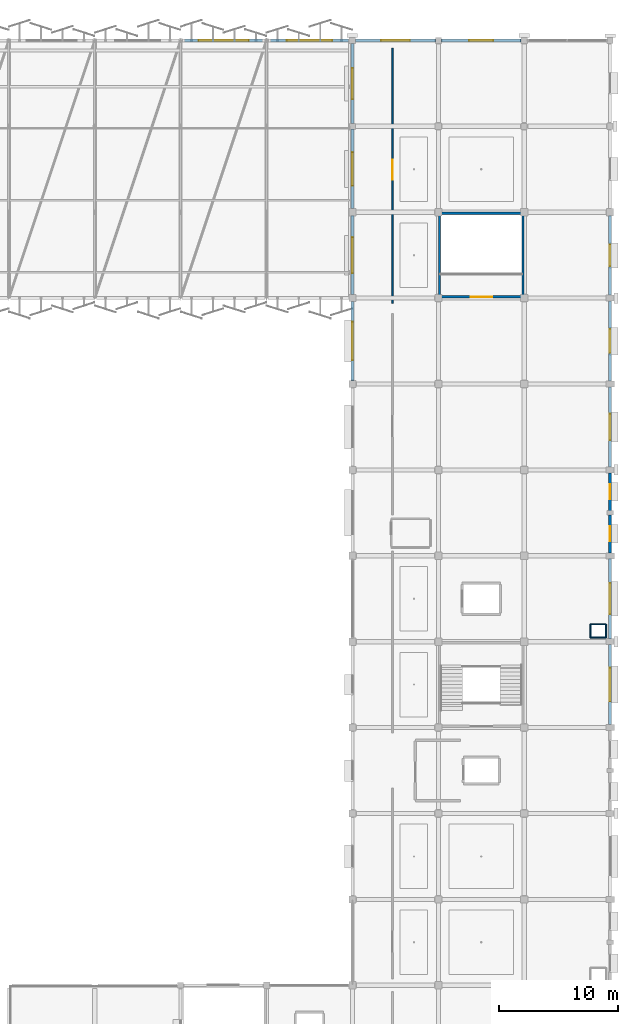
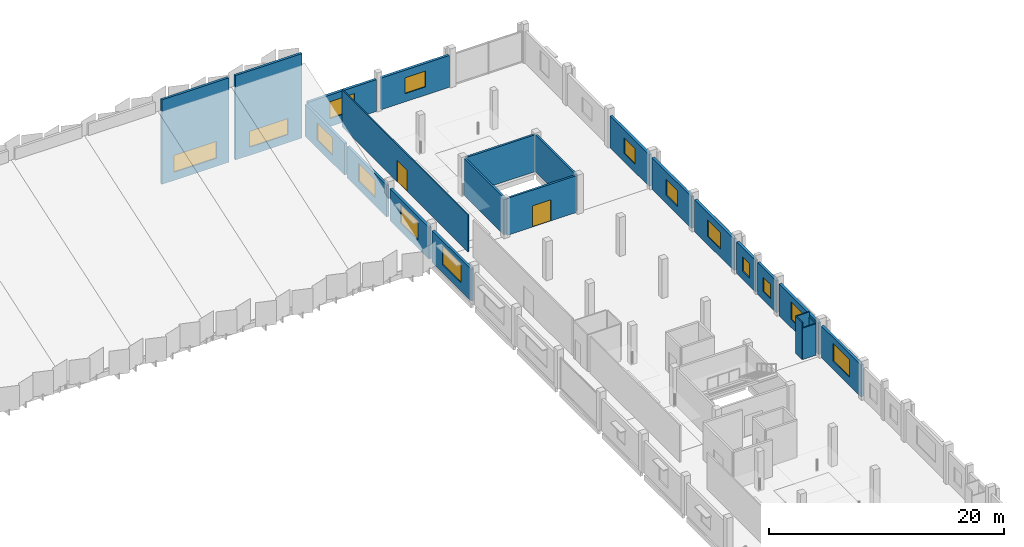
# One storey, part 44 of 59: 24 walls, 15 windows, 2 doors, 17 openings.
"""IFC4 building model written with IfcOpenShell, lengths in metres."""

from ifc_helpers import new_model, si_unit, direction, frame, frame_2d, origin, place, context, subcontext, project, spatial, rectangle, extrude, material, layer, layer_set, type_object, element, fill, save


model = new_model("IFC4")

# Units and contexts
model_context = context("Model", 3, precision=1e-05, world=origin(), true_north=direction((0.0, 1.0)))
body_context = subcontext(model_context, "Body", "Model", "MODEL_VIEW")
ifc_project = project(units=[si_unit("LENGTHUNIT", "METRE"), si_unit("AREAUNIT", "SQUARE_METRE"), si_unit("VOLUMEUNIT", "CUBIC_METRE"), si_unit("PLANEANGLEUNIT", "RADIAN"), si_unit("MASSUNIT", "GRAM", prefix="KILO")], contexts=[model_context])

# Site, building, storey
site_placement = place(None, origin())
site = spatial("IfcSite", under=ifc_project, at=site_placement, CompositionType="ELEMENT")
building_placement = place(site_placement, origin())
building = spatial("IfcBuilding", under=site, at=building_placement, Name="Kangsadwip Square Police Headquarters", CompositionType="ELEMENT")
storey_placement = place(building_placement, frame((0.0, 0.0, 21.60009765625)))
storey = spatial("IfcBuildingStorey", under=building, at=storey_placement, Name="L05", CompositionType="ELEMENT", Elevation=21.60009765625)

# Wall, opening, door
ifc_material_1 = material(Name="Fire-rated double gypsum board acoustic stud partition", Category="masonry")
ifc_layer_1 = layer(ifc_material_1, 0.1201171875)
ifc_layer_set_1 = layer_set([ifc_layer_1], Name="Fire-rated double gypsum board acoustic stud partition")
wall_type_1 = type_object("IfcWallType", Name="AcousticPartition120", PredefinedType="PARTITIONING", material=ifc_layer_set_1)
wall_1_placement = place(storey_placement, frame((147.35009765625, 93.14990234375, 0.0), z_axis=(0.0, 0.0, 1.0), x_axis=(0.0, 1.0, 0.0)))
wall_1 = element("IfcWall", 1, at=wall_1_placement, inside=storey, type_object=wall_type_1, Name="Interior Wall WI-L05-0891", PredefinedType="PARTITIONING", context=body_context, shape_type="SweptSolid", body=[
    extrude(rectangle(XDim=21.400146484375, YDim=0.1201171875, at=frame_2d((10.7001953125, 0.0))), origin(), (0.0, 0.0, 1.0), 3.829833984375),
])
opening_1_placement = place(wall_1_placement, frame((10.35498046875, 0.0, 0.0)))
opening_1 = element("IfcOpeningElement", 2, at=opening_1_placement, cuts=wall_1, Name="Opening ID-17", PredefinedType="OPENING", context=body_context, shape_type="SweptSolid", body=[
    extrude(rectangle(XDim=1.699951171875, YDim=2.199951171875, at=frame_2d((0.85009765625, 1.10009765625))), frame((0.0, 0.070068359375, 0.0), z_axis=(0.0, -1.0, 0.0), x_axis=(1.0, 0.0, 0.0)), (0.0, 0.0, 1.0), 0.14013671875),
])
ifc_material_2 = material(Name="Insulated galvanized steel fire-rated door assembly", Category="steel")
door_type_1 = type_object("IfcDoorType", Name="LabDoubleDoor1700x2200", OperationType="DOUBLE_DOOR_SINGLE_SWING", PredefinedType="DOOR", material=ifc_material_2)
door_1_placement = place(opening_1_placement, origin())
door_1 = element("IfcDoor", 3, at=door_1_placement, inside=storey, type_object=door_type_1, Name="Interior Door ID-L05-0245", OperationType="DOUBLE_DOOR_SINGLE_SWING", OverallHeight=2.199951171875, OverallWidth=1.699951171875, PredefinedType="DOOR", context=body_context, shape_type="SweptSolid", body=[
    extrude(rectangle(XDim=1.699951171875, YDim=2.199951171875, at=frame_2d((0.85009765625, 1.10009765625))), frame((0.0, 0.02490234375, 0.0), z_axis=(0.0, -1.0, 0.0), x_axis=(1.0, 0.0, 0.0)), (0.0, 0.0, 1.0), 0.050048828125),
])
fill(opening_1, door_1)

# Wall, opening, window
ifc_material_3 = material(Name="Glazed architectural terracotta masonry rainscreen", Category="masonry")
ifc_layer_2 = layer(ifc_material_3, 0.25)
ifc_layer_set_2 = layer_set([ifc_layer_2], Name="Glazed architectural terracotta masonry rainscreen")
wall_type_2 = type_object("IfcWallType", Name="ChicagoTerracottaWall250", PredefinedType="SOLIDWALL", material=ifc_layer_set_2)
wall_2_placement = place(storey_placement, frame((144.27001953125, 115.199951171875, 0.0), z_axis=(0.0, 0.0, 1.0), x_axis=(1.0, 0.0, 0.0)))
wall_2 = element("IfcWall", 4, at=wall_2_placement, inside=storey, type_object=wall_type_2, Name="Exterior Wall WE-L05-489", PredefinedType="SOLIDWALL", context=body_context, shape_type="SweptSolid", body=[
    extrude(rectangle(XDim=6.68505859375, YDim=0.25, at=frame_2d((3.342529296875, 0.0))), origin(), (0.0, 0.0, 1.0), 3.294921875),
])
opening_2_placement = place(wall_2_placement, frame((2.142578125, 0.0, 0.85009765625)))
opening_2 = element("IfcOpeningElement", 5, at=opening_2_placement, cuts=wall_2, Name="Opening WN-07", PredefinedType="OPENING", context=body_context, shape_type="SweptSolid", body=[
    extrude(rectangle(XDim=2.39990234375, YDim=1.75, at=frame_2d((1.199951171875, 0.875))), frame((0.0, 0.135009765625, 0.0), z_axis=(0.0, -1.0, 0.0), x_axis=(1.0, 0.0, 0.0)), (0.0, 0.0, 1.0), 0.27001953125),
])
ifc_material_4 = material(Name="Double-glazed solar-control low-E safety glass", Category="glass")
window_type_1 = type_object("IfcWindowType", Name="ChicagoDoubleMullWin2400x1750", PartitioningType="DOUBLE_PANEL_VERTICAL", PredefinedType="WINDOW", material=ifc_material_4)
window_1_placement = place(opening_2_placement, origin())
window_1 = element("IfcWindow", 6, at=window_1_placement, inside=storey, type_object=window_type_1, Name="Window WN-L05-0339", OverallHeight=1.75, OverallWidth=2.39990234375, PartitioningType="SINGLE_PANEL", PredefinedType="WINDOW", context=body_context, shape_type="SweptSolid", body=[
    extrude(rectangle(XDim=2.39990234375, YDim=1.75, at=frame_2d((1.199951171875, 0.875))), frame((0.0, 0.030029296875, 0.0), z_axis=(0.0, -1.0, 0.0), x_axis=(1.0, 0.0, 0.0)), (0.0, 0.0, 1.0), 0.06005859375),
])
fill(opening_2, window_1)

wall_3_placement = place(storey_placement, frame((151.445068359375, 115.199951171875, 0.0), z_axis=(0.0, 0.0, 1.0), x_axis=(1.0, 0.0, 0.0)))
wall_3 = element("IfcWall", 7, at=wall_3_placement, inside=storey, type_object=wall_type_2, Name="Exterior Wall WE-L05-490", PredefinedType="SOLIDWALL", context=body_context, shape_type="SweptSolid", body=[
    extrude(rectangle(XDim=6.684814453125, YDim=0.25, at=frame_2d((3.34228515625, 0.0))), origin(), (0.0, 0.0, 1.0), 3.294921875),
])
opening_3_placement = place(wall_3_placement, frame((2.342529296875, 0.0, 0.85009765625)))
opening_3 = element("IfcOpeningElement", 8, at=opening_3_placement, cuts=wall_3, Name="Opening WN-09", PredefinedType="OPENING", context=body_context, shape_type="SweptSolid", body=[
    extrude(rectangle(XDim=2.0, YDim=1.64990234375, at=frame_2d((1.0, 0.824951171875))), frame((0.0, 0.135009765625, 0.0), z_axis=(0.0, -1.0, 0.0), x_axis=(1.0, 0.0, 0.0)), (0.0, 0.0, 1.0), 0.27001953125),
])
ifc_material_5 = material(Name="Double-glazed solar-control low-E safety glass", Category="glass")
window_type_2 = type_object("IfcWindowType", Name="ChicagoDoubleMullWin2000x1650", PartitioningType="DOUBLE_PANEL_VERTICAL", PredefinedType="WINDOW", material=ifc_material_5)
window_2_placement = place(opening_3_placement, origin())
window_2 = element("IfcWindow", 9, at=window_2_placement, inside=storey, type_object=window_type_2, Name="Window WN-L05-0340", OverallHeight=1.64990234375, OverallWidth=2.0, PartitioningType="SINGLE_PANEL", PredefinedType="WINDOW", context=body_context, shape_type="SweptSolid", body=[
    extrude(rectangle(XDim=2.0, YDim=1.64990234375, at=frame_2d((1.0, 0.824951171875))), frame((0.0, 0.030029296875, 0.0), z_axis=(0.0, -1.0, 0.0), x_axis=(1.0, 0.0, 0.0)), (0.0, 0.0, 1.0), 0.06005859375),
])
fill(opening_3, window_2)

wall_4_placement = place(storey_placement, frame((144.0, 86.695068359375, 0.0), z_axis=(0.0, 0.0, 1.0), x_axis=(0.0, 1.0, 0.0)))
wall_4 = element("IfcWall", 10, at=wall_4_placement, inside=storey, type_object=wall_type_2, Name="Exterior Wall WE-L05-514", PredefinedType="SOLIDWALL", context=body_context, shape_type="SweptSolid", body=[
    extrude(rectangle(XDim=6.60986328125, YDim=0.25, at=frame_2d((3.304931640625, 0.0))), origin(), (0.0, 0.0, 1.0), 3.294921875),
])
opening_4_placement = place(wall_4_placement, frame((1.705078125, 0.0, 0.85009765625)))
opening_4 = element("IfcOpeningElement", 11, at=opening_4_placement, cuts=wall_4, Name="Opening WN-03", PredefinedType="OPENING", context=body_context, shape_type="SweptSolid", body=[
    extrude(rectangle(XDim=3.199951171875, YDim=1.949951171875, at=frame_2d((1.60009765625, 0.97509765625))), frame((0.0, 0.135009765625, 0.0), z_axis=(0.0, -1.0, 0.0), x_axis=(1.0, 0.0, 0.0)), (0.0, 0.0, 1.0), 0.27001953125),
])
ifc_material_6 = material(Name="Double-glazed solar-control low-E safety glass", Category="glass")
window_type_3 = type_object("IfcWindowType", Name="ChicagoTripartiteWin3200x1950", PartitioningType="TRIPLE_PANEL_HORIZONTAL", PredefinedType="WINDOW", material=ifc_material_6)
window_3_placement = place(opening_4_placement, origin())
window_3 = element("IfcWindow", 12, at=window_3_placement, inside=storey, type_object=window_type_3, Name="Window WN-L05-0363", OverallHeight=1.949951171875, OverallWidth=3.199951171875, PartitioningType="SINGLE_PANEL", PredefinedType="WINDOW", context=body_context, shape_type="SweptSolid", body=[
    extrude(rectangle(XDim=3.199951171875, YDim=1.949951171875, at=frame_2d((1.60009765625, 0.97509765625))), frame((0.0, 0.030029296875, 0.0), z_axis=(0.0, -1.0, 0.0), x_axis=(1.0, 0.0, 0.0)), (0.0, 0.0, 1.0), 0.06005859375),
])
fill(opening_4, window_3)

wall_5_placement = place(storey_placement, frame((144.0, 93.89501953125, 0.0), z_axis=(0.0, 0.0, 1.0), x_axis=(0.0, 1.0, 0.0)))
wall_5 = element("IfcWall", 13, at=wall_5_placement, inside=storey, type_object=wall_type_2, Name="Exterior Wall WE-L05-515", PredefinedType="SOLIDWALL", context=body_context, shape_type="SweptSolid", body=[
    extrude(rectangle(XDim=6.60986328125, YDim=0.25, at=frame_2d((3.304931640625, 0.0))), origin(), (0.0, 0.0, 1.0), 3.294921875),
])
opening_5_placement = place(wall_5_placement, frame((1.804931640625, 0.0, 0.85009765625)))
opening_5 = element("IfcOpeningElement", 14, at=opening_5_placement, cuts=wall_5, Name="Opening WN-04", PredefinedType="OPENING", context=body_context, shape_type="SweptSolid", body=[
    extrude(rectangle(XDim=3.0, YDim=1.89990234375, at=frame_2d((1.5, 0.949951171875))), frame((0.0, 0.135009765625, 0.0), z_axis=(0.0, -1.0, 0.0), x_axis=(1.0, 0.0, 0.0)), (0.0, 0.0, 1.0), 0.27001953125),
])
ifc_material_7 = material(Name="Double-glazed solar-control low-E safety glass", Category="glass")
window_type_4 = type_object("IfcWindowType", Name="ChicagoTripartiteWin3000x1900", PartitioningType="TRIPLE_PANEL_HORIZONTAL", PredefinedType="WINDOW", material=ifc_material_7)
window_4_placement = place(opening_5_placement, origin())
window_4 = element("IfcWindow", 15, at=window_4_placement, inside=storey, type_object=window_type_4, Name="Window WN-L05-0364", OverallHeight=1.89990234375, OverallWidth=3.0, PartitioningType="SINGLE_PANEL", PredefinedType="WINDOW", context=body_context, shape_type="SweptSolid", body=[
    extrude(rectangle(XDim=3.0, YDim=1.89990234375, at=frame_2d((1.5, 0.949951171875))), frame((0.0, 0.030029296875, 0.0), z_axis=(0.0, -1.0, 0.0), x_axis=(1.0, 0.0, 0.0)), (0.0, 0.0, 1.0), 0.06005859375),
])
fill(opening_5, window_4)

wall_6_placement = place(storey_placement, frame((144.0, 101.094970703125, 0.0), z_axis=(0.0, 0.0, 1.0), x_axis=(0.0, 1.0, 0.0)))
wall_6 = element("IfcWall", 16, at=wall_6_placement, inside=storey, type_object=wall_type_2, Name="Exterior Wall WE-L05-516", PredefinedType="SOLIDWALL", context=body_context, shape_type="SweptSolid", body=[
    extrude(rectangle(XDim=6.659912109375, YDim=0.25, at=frame_2d((3.330078125, 0.0))), origin(), (0.0, 0.0, 1.0), 3.294921875),
])
opening_6_placement = place(wall_6_placement, frame((1.929931640625, 0.0, 0.85009765625)))
opening_6 = element("IfcOpeningElement", 17, at=opening_6_placement, cuts=wall_6, Name="Opening WN-05", PredefinedType="OPENING", context=body_context, shape_type="SweptSolid", body=[
    extrude(rectangle(XDim=2.800048828125, YDim=1.85009765625, at=frame_2d((1.39990234375, 0.925048828125))), frame((0.0, 0.135009765625, 0.0), z_axis=(0.0, -1.0, 0.0), x_axis=(1.0, 0.0, 0.0)), (0.0, 0.0, 1.0), 0.27001953125),
])
ifc_material_8 = material(Name="Double-glazed solar-control low-E safety glass", Category="glass")
window_type_5 = type_object("IfcWindowType", Name="ChicagoDoubleMullWin2800x1850", PartitioningType="DOUBLE_PANEL_VERTICAL", PredefinedType="WINDOW", material=ifc_material_8)
window_5_placement = place(opening_6_placement, origin())
window_5 = element("IfcWindow", 18, at=window_5_placement, inside=storey, type_object=window_type_5, Name="Window WN-L05-0365", OverallHeight=1.85009765625, OverallWidth=2.800048828125, PartitioningType="SINGLE_PANEL", PredefinedType="WINDOW", context=body_context, shape_type="SweptSolid", body=[
    extrude(rectangle(XDim=2.800048828125, YDim=1.85009765625, at=frame_2d((1.39990234375, 0.925048828125))), frame((0.0, 0.030029296875, 0.0), z_axis=(0.0, -1.0, 0.0), x_axis=(1.0, 0.0, 0.0)), (0.0, 0.0, 1.0), 0.06005859375),
])
fill(opening_6, window_5)

wall_7_placement = place(storey_placement, frame((144.0, 108.2451171875, 0.0), z_axis=(0.0, 0.0, 1.0), x_axis=(0.0, 1.0, 0.0)))
wall_7 = element("IfcWall", 19, at=wall_7_placement, inside=storey, type_object=wall_type_2, Name="Exterior Wall WE-L05-517", PredefinedType="SOLIDWALL", context=body_context, shape_type="SweptSolid", body=[
    extrude(rectangle(XDim=6.684814453125, YDim=0.25, at=frame_2d((3.34228515625, 0.0))), origin(), (0.0, 0.0, 1.0), 3.294921875),
])
opening_7_placement = place(wall_7_placement, frame((2.04248046875, 0.0, 0.85009765625)))
opening_7 = element("IfcOpeningElement", 20, at=opening_7_placement, cuts=wall_7, Name="Opening WN-06", PredefinedType="OPENING", context=body_context, shape_type="SweptSolid", body=[
    extrude(rectangle(XDim=2.60009765625, YDim=1.800048828125, at=frame_2d((1.300048828125, 0.89990234375))), frame((0.0, 0.135009765625, 0.0), z_axis=(0.0, -1.0, 0.0), x_axis=(1.0, 0.0, 0.0)), (0.0, 0.0, 1.0), 0.27001953125),
])
ifc_material_9 = material(Name="Double-glazed solar-control low-E safety glass", Category="glass")
window_type_6 = type_object("IfcWindowType", Name="ChicagoDoubleMullWin2600x1800", PartitioningType="DOUBLE_PANEL_VERTICAL", PredefinedType="WINDOW", material=ifc_material_9)
window_6_placement = place(opening_7_placement, origin())
window_6 = element("IfcWindow", 21, at=window_6_placement, inside=storey, type_object=window_type_6, Name="Window WN-L05-0366", OverallHeight=1.800048828125, OverallWidth=2.60009765625, PartitioningType="SINGLE_PANEL", PredefinedType="WINDOW", context=body_context, shape_type="SweptSolid", body=[
    extrude(rectangle(XDim=2.60009765625, YDim=1.800048828125, at=frame_2d((1.300048828125, 0.89990234375))), frame((0.0, 0.030029296875, 0.0), z_axis=(0.0, -1.0, 0.0), x_axis=(1.0, 0.0, 0.0)), (0.0, 0.0, 1.0), 0.06005859375),
])
fill(opening_7, window_6)

wall_8_placement = place(storey_placement, frame((165.60009765625, 57.844970703125, 0.0), z_axis=(0.0, 0.0, 1.0), x_axis=(0.0, 1.0, 0.0)))
wall_8 = element("IfcWall", 22, at=wall_8_placement, inside=storey, type_object=wall_type_2, Name="Exterior Wall WE-L05-525", PredefinedType="SOLIDWALL", context=body_context, shape_type="SweptSolid", body=[
    extrude(rectangle(XDim=6.7099609375, YDim=0.25, at=frame_2d((3.35498046875, 0.0))), origin(), (0.0, 0.0, 1.0), 3.294921875),
])
opening_8_placement = place(wall_8_placement, frame((1.955078125, 0.0, 0.85009765625)))
opening_8 = element("IfcOpeningElement", 23, at=opening_8_placement, cuts=wall_8, Name="Opening WN-05", PredefinedType="OPENING", context=body_context, shape_type="SweptSolid", body=[
    extrude(rectangle(XDim=2.800048828125, YDim=1.85009765625, at=frame_2d((1.39990234375, 0.925048828125))), frame((0.0, 0.135009765625, 0.0), z_axis=(0.0, -1.0, 0.0), x_axis=(1.0, 0.0, 0.0)), (0.0, 0.0, 1.0), 0.27001953125),
])
window_7_placement = place(opening_8_placement, origin())
window_7 = element("IfcWindow", 24, at=window_7_placement, inside=storey, type_object=window_type_5, Name="Window WN-L05-0374", OverallHeight=1.85009765625, OverallWidth=2.800048828125, PartitioningType="SINGLE_PANEL", PredefinedType="WINDOW", context=body_context, shape_type="SweptSolid", body=[
    extrude(rectangle(XDim=2.800048828125, YDim=1.85009765625, at=frame_2d((1.39990234375, 0.925048828125))), frame((0.0, 0.030029296875, 0.0), z_axis=(0.0, -1.0, 0.0), x_axis=(1.0, 0.0, 0.0)), (0.0, 0.0, 1.0), 0.06005859375),
])
fill(opening_8, window_7)

wall_9_placement = place(storey_placement, frame((165.60009765625, 65.044921875, 0.0), z_axis=(0.0, 0.0, 1.0), x_axis=(0.0, 1.0, 0.0)))
wall_9 = element("IfcWall", 25, at=wall_9_placement, inside=storey, type_object=wall_type_2, Name="Exterior Wall WE-L05-526", PredefinedType="SOLIDWALL", context=body_context, shape_type="SweptSolid", body=[
    extrude(rectangle(XDim=6.7099609375, YDim=0.25, at=frame_2d((3.35498046875, 0.0))), origin(), (0.0, 0.0, 1.0), 3.294921875),
])
opening_9_placement = place(wall_9_placement, frame((2.054931640625, 0.0, 0.85009765625)))
opening_9 = element("IfcOpeningElement", 26, at=opening_9_placement, cuts=wall_9, Name="Opening WN-06", PredefinedType="OPENING", context=body_context, shape_type="SweptSolid", body=[
    extrude(rectangle(XDim=2.60009765625, YDim=1.800048828125, at=frame_2d((1.300048828125, 0.89990234375))), frame((0.0, 0.135009765625, 0.0), z_axis=(0.0, -1.0, 0.0), x_axis=(1.0, 0.0, 0.0)), (0.0, 0.0, 1.0), 0.27001953125),
])
window_8_placement = place(opening_9_placement, origin())
window_8 = element("IfcWindow", 27, at=window_8_placement, inside=storey, type_object=window_type_6, Name="Window WN-L05-0375", OverallHeight=1.800048828125, OverallWidth=2.60009765625, PartitioningType="SINGLE_PANEL", PredefinedType="WINDOW", context=body_context, shape_type="SweptSolid", body=[
    extrude(rectangle(XDim=2.60009765625, YDim=1.800048828125, at=frame_2d((1.300048828125, 0.89990234375))), frame((0.0, 0.030029296875, 0.0), z_axis=(0.0, -1.0, 0.0), x_axis=(1.0, 0.0, 0.0)), (0.0, 0.0, 1.0), 0.06005859375),
])
fill(opening_9, window_8)

wall_10_placement = place(storey_placement, frame((165.60009765625, 72.2451171875, 0.0), z_axis=(0.0, 0.0, 1.0), x_axis=(0.0, 1.0, 0.0)))
wall_10 = element("IfcWall", 28, at=wall_10_placement, inside=storey, type_object=wall_type_2, Name="Exterior Wall WE-L05-527", PredefinedType="SOLIDWALL", context=body_context, shape_type="SweptSolid", body=[
    extrude(rectangle(XDim=3.184814453125, YDim=0.25, at=frame_2d((1.59228515625, 0.0))), origin(), (0.0, 0.0, 1.0), 3.294921875),
])
opening_10_placement = place(wall_10_placement, frame((0.967529296875, 0.0, 0.85009765625)))
opening_10 = element("IfcOpeningElement", 29, at=opening_10_placement, cuts=wall_10, Name="Opening WN-14", PredefinedType="OPENING", context=body_context, shape_type="SweptSolid", body=[
    extrude(rectangle(XDim=1.25, YDim=1.5, at=frame_2d((0.625, 0.75))), frame((0.0, 0.135009765625, 0.0), z_axis=(0.0, -1.0, 0.0), x_axis=(1.0, 0.0, 0.0)), (0.0, 0.0, 1.0), 0.27001953125),
])
ifc_material_10 = material(Name="Double-glazed solar-control low-E safety glass", Category="glass")
window_type_7 = type_object("IfcWindowType", Name="OfficeCasementWin1250x1500", PartitioningType="SINGLE_PANEL", PredefinedType="WINDOW", material=ifc_material_10)
window_9_placement = place(opening_10_placement, origin())
window_9 = element("IfcWindow", 30, at=window_9_placement, inside=storey, type_object=window_type_7, Name="Window WN-L05-0376", OverallHeight=1.5, OverallWidth=1.25, PartitioningType="SINGLE_PANEL", PredefinedType="WINDOW", context=body_context, shape_type="SweptSolid", body=[
    extrude(rectangle(XDim=1.25, YDim=1.5, at=frame_2d((0.625, 0.75))), frame((0.0, 0.030029296875, 0.0), z_axis=(0.0, -1.0, 0.0), x_axis=(1.0, 0.0, 0.0)), (0.0, 0.0, 1.0), 0.06005859375),
])
fill(opening_10, window_9)

wall_11_placement = place(storey_placement, frame((165.60009765625, 75.77001953125, 0.0), z_axis=(0.0, 0.0, 1.0), x_axis=(0.0, 1.0, 0.0)))
wall_11 = element("IfcWall", 31, at=wall_11_placement, inside=storey, type_object=wall_type_2, Name="Exterior Wall WE-L05-528", PredefinedType="SOLIDWALL", context=body_context, shape_type="SweptSolid", body=[
    extrude(rectangle(XDim=3.18505859375, YDim=0.25, at=frame_2d((1.592529296875, 0.0))), origin(), (0.0, 0.0, 1.0), 3.294921875),
])
opening_11_placement = place(wall_11_placement, frame((0.967529296875, 0.0, 0.85009765625)))
opening_11 = element("IfcOpeningElement", 32, at=opening_11_placement, cuts=wall_11, Name="Opening WN-14", PredefinedType="OPENING", context=body_context, shape_type="SweptSolid", body=[
    extrude(rectangle(XDim=1.25, YDim=1.5, at=frame_2d((0.625, 0.75))), frame((0.0, 0.135009765625, 0.0), z_axis=(0.0, -1.0, 0.0), x_axis=(1.0, 0.0, 0.0)), (0.0, 0.0, 1.0), 0.27001953125),
])
window_10_placement = place(opening_11_placement, origin())
window_10 = element("IfcWindow", 33, at=window_10_placement, inside=storey, type_object=window_type_7, Name="Window WN-L05-0377", OverallHeight=1.5, OverallWidth=1.25, PartitioningType="SINGLE_PANEL", PredefinedType="WINDOW", context=body_context, shape_type="SweptSolid", body=[
    extrude(rectangle(XDim=1.25, YDim=1.5, at=frame_2d((0.625, 0.75))), frame((0.0, 0.030029296875, 0.0), z_axis=(0.0, -1.0, 0.0), x_axis=(1.0, 0.0, 0.0)), (0.0, 0.0, 1.0), 0.06005859375),
])
fill(opening_11, window_10)

wall_12_placement = place(storey_placement, frame((165.60009765625, 79.445068359375, 0.0), z_axis=(0.0, 0.0, 1.0), x_axis=(0.0, 1.0, 0.0)))
wall_12 = element("IfcWall", 34, at=wall_12_placement, inside=storey, type_object=wall_type_2, Name="Exterior Wall WE-L05-529", PredefinedType="SOLIDWALL", context=body_context, shape_type="SweptSolid", body=[
    extrude(rectangle(XDim=6.7099609375, YDim=0.25, at=frame_2d((3.35498046875, 0.0))), origin(), (0.0, 0.0, 1.0), 3.294921875),
])
opening_12_placement = place(wall_12_placement, frame((2.2548828125, 0.0, 0.85009765625)))
opening_12 = element("IfcOpeningElement", 35, at=opening_12_placement, cuts=wall_12, Name="Opening WN-08", PredefinedType="OPENING", context=body_context, shape_type="SweptSolid", body=[
    extrude(rectangle(XDim=2.199951171875, YDim=1.699951171875, at=frame_2d((1.10009765625, 0.85009765625))), frame((0.0, 0.135009765625, 0.0), z_axis=(0.0, -1.0, 0.0), x_axis=(1.0, 0.0, 0.0)), (0.0, 0.0, 1.0), 0.27001953125),
])
ifc_material_11 = material(Name="Double-glazed solar-control low-E safety glass", Category="glass")
window_type_8 = type_object("IfcWindowType", Name="ChicagoDoubleMullWin2200x1700", PartitioningType="DOUBLE_PANEL_VERTICAL", PredefinedType="WINDOW", material=ifc_material_11)
window_11_placement = place(opening_12_placement, origin())
window_11 = element("IfcWindow", 36, at=window_11_placement, inside=storey, type_object=window_type_8, Name="Window WN-L05-0378", OverallHeight=1.699951171875, OverallWidth=2.199951171875, PartitioningType="SINGLE_PANEL", PredefinedType="WINDOW", context=body_context, shape_type="SweptSolid", body=[
    extrude(rectangle(XDim=2.199951171875, YDim=1.699951171875, at=frame_2d((1.10009765625, 0.85009765625))), frame((0.0, 0.030029296875, 0.0), z_axis=(0.0, -1.0, 0.0), x_axis=(1.0, 0.0, 0.0)), (0.0, 0.0, 1.0), 0.06005859375),
])
fill(opening_12, window_11)

wall_13_placement = place(storey_placement, frame((165.60009765625, 86.64501953125, 0.0), z_axis=(0.0, 0.0, 1.0), x_axis=(0.0, 1.0, 0.0)))
wall_13 = element("IfcWall", 37, at=wall_13_placement, inside=storey, type_object=wall_type_2, Name="Exterior Wall WE-L05-530", PredefinedType="SOLIDWALL", context=body_context, shape_type="SweptSolid", body=[
    extrude(rectangle(XDim=6.7099609375, YDim=0.25, at=frame_2d((3.35498046875, 0.0))), origin(), (0.0, 0.0, 1.0), 3.294921875),
])
opening_13_placement = place(wall_13_placement, frame((2.35498046875, 0.0, 0.85009765625)))
opening_13 = element("IfcOpeningElement", 38, at=opening_13_placement, cuts=wall_13, Name="Opening WN-09", PredefinedType="OPENING", context=body_context, shape_type="SweptSolid", body=[
    extrude(rectangle(XDim=2.0, YDim=1.64990234375, at=frame_2d((1.0, 0.824951171875))), frame((0.0, 0.135009765625, 0.0), z_axis=(0.0, -1.0, 0.0), x_axis=(1.0, 0.0, 0.0)), (0.0, 0.0, 1.0), 0.27001953125),
])
window_12_placement = place(opening_13_placement, origin())
window_12 = element("IfcWindow", 39, at=window_12_placement, inside=storey, type_object=window_type_2, Name="Window WN-L05-0379", OverallHeight=1.64990234375, OverallWidth=2.0, PartitioningType="SINGLE_PANEL", PredefinedType="WINDOW", context=body_context, shape_type="SweptSolid", body=[
    extrude(rectangle(XDim=2.0, YDim=1.64990234375, at=frame_2d((1.0, 0.824951171875))), frame((0.0, 0.030029296875, 0.0), z_axis=(0.0, -1.0, 0.0), x_axis=(1.0, 0.0, 0.0)), (0.0, 0.0, 1.0), 0.06005859375),
])
fill(opening_13, window_12)

wall_14_placement = place(storey_placement, frame((165.60009765625, 93.844970703125, 0.0), z_axis=(0.0, 0.0, 1.0), x_axis=(0.0, 1.0, 0.0)))
wall_14 = element("IfcWall", 40, at=wall_14_placement, inside=storey, type_object=wall_type_2, Name="Exterior Wall WE-L05-531", PredefinedType="SOLIDWALL", context=body_context, shape_type="SweptSolid", body=[
    extrude(rectangle(XDim=6.659912109375, YDim=0.25, at=frame_2d((3.330078125, 0.0))), origin(), (0.0, 0.0, 1.0), 3.294921875),
])
opening_14_placement = place(wall_14_placement, frame((2.429931640625, 0.0, 0.85009765625)))
opening_14 = element("IfcOpeningElement", 41, at=opening_14_placement, cuts=wall_14, Name="Opening WN-10", PredefinedType="OPENING", context=body_context, shape_type="SweptSolid", body=[
    extrude(rectangle(XDim=1.800048828125, YDim=1.60009765625, at=frame_2d((0.89990234375, 0.800048828125))), frame((0.0, 0.135009765625, 0.0), z_axis=(0.0, -1.0, 0.0), x_axis=(1.0, 0.0, 0.0)), (0.0, 0.0, 1.0), 0.27001953125),
])
ifc_material_12 = material(Name="Double-glazed solar-control low-E safety glass", Category="glass")
window_type_9 = type_object("IfcWindowType", Name="LabCleanViewWin1800x1600", PartitioningType="DOUBLE_PANEL_VERTICAL", PredefinedType="WINDOW", material=ifc_material_12)
window_13_placement = place(opening_14_placement, origin())
window_13 = element("IfcWindow", 42, at=window_13_placement, inside=storey, type_object=window_type_9, Name="Window WN-L05-0380", OverallHeight=1.60009765625, OverallWidth=1.800048828125, PartitioningType="SINGLE_PANEL", PredefinedType="WINDOW", context=body_context, shape_type="SweptSolid", body=[
    extrude(rectangle(XDim=1.800048828125, YDim=1.60009765625, at=frame_2d((0.89990234375, 0.800048828125))), frame((0.0, 0.030029296875, 0.0), z_axis=(0.0, -1.0, 0.0), x_axis=(1.0, 0.0, 0.0)), (0.0, 0.0, 1.0), 0.06005859375),
])
fill(opening_14, window_13)

ifc_material_13 = material(Name="Autoclaved aerated blockwork with terracotta brick veneer", Category="masonry")
ifc_layer_3 = layer(ifc_material_13, 0.22998046875)
ifc_layer_set_3 = layer_set([ifc_layer_3], Name="Autoclaved aerated blockwork with terracotta brick veneer")
wall_type_3 = type_object("IfcWallType", Name="ClerestoryGableWall230", PredefinedType="SOLIDWALL", material=ifc_layer_set_3)
wall_15_placement = place(storey_placement, frame((129.919921875, 115.199951171875, -0.22021484375), z_axis=(0.0, 0.0, 1.0), x_axis=(1.0, 0.0, 0.0)))
wall_15 = element("IfcWall", 43, at=wall_15_placement, inside=storey, type_object=wall_type_3, Name="Exterior Wall WE-L05-619", PredefinedType="SOLIDWALL", context=body_context, shape_type="SweptSolid", body=[
    extrude(rectangle(XDim=6.56005859375, YDim=0.22998046875, at=frame_2d((3.280029296875, 0.0))), origin(), (0.0, 0.0, 1.0), 8.77001953125),
])
opening_15_placement = place(wall_15_placement, frame((1.179931640625, 0.0, 0.85009765625)))
opening_15 = element("IfcOpeningElement", 44, at=opening_15_placement, cuts=wall_15, Name="Opening NL-01", PredefinedType="OPENING", context=body_context, shape_type="SweptSolid", body=[
    extrude(rectangle(XDim=4.199951171875, YDim=1.75, at=frame_2d((2.10009765625, 0.875))), frame((0.0, 0.125, 0.0), z_axis=(0.0, -1.0, 0.0), x_axis=(1.0, 0.0, 0.0)), (0.0, 0.0, 1.0), 0.25),
])
ifc_material_14 = material(Name="Double-glazed solar-control low-E safety glass", Category="glass")
window_type_10 = type_object("IfcWindowType", Name="SawtoothNorthLight4200x1750", PartitioningType="TRIPLE_PANEL_HORIZONTAL", PredefinedType="LIGHTDOME", material=ifc_material_14)
window_14_placement = place(opening_15_placement, origin())
window_14 = element("IfcWindow", 45, at=window_14_placement, inside=storey, type_object=window_type_10, Name="Window WN-L05-0465", OverallHeight=1.75, OverallWidth=4.199951171875, PartitioningType="SINGLE_PANEL", PredefinedType="LIGHTDOME", context=body_context, shape_type="SweptSolid", body=[
    extrude(rectangle(XDim=4.199951171875, YDim=1.75, at=frame_2d((2.10009765625, 0.875))), frame((0.0, 0.030029296875, 0.0), z_axis=(0.0, -1.0, 0.0), x_axis=(1.0, 0.0, 0.0)), (0.0, 0.0, 1.0), 0.06005859375),
])
fill(opening_15, window_14)

wall_16_placement = place(storey_placement, frame((137.1201171875, 115.199951171875, -0.22021484375), z_axis=(0.0, 0.0, 1.0), x_axis=(1.0, 0.0, 0.0)))
wall_16 = element("IfcWall", 46, at=wall_16_placement, inside=storey, type_object=wall_type_3, Name="Exterior Wall WE-L05-620", PredefinedType="SOLIDWALL", context=body_context, shape_type="SweptSolid", body=[
    extrude(rectangle(XDim=6.559814453125, YDim=0.22998046875, at=frame_2d((3.27978515625, 0.0))), origin(), (0.0, 0.0, 1.0), 8.77001953125),
])
opening_16_placement = place(wall_16_placement, frame((1.3798828125, 0.0, 0.85009765625)))
opening_16 = element("IfcOpeningElement", 47, at=opening_16_placement, cuts=wall_16, Name="Opening NL-02", PredefinedType="OPENING", context=body_context, shape_type="SweptSolid", body=[
    extrude(rectangle(XDim=3.800048828125, YDim=1.64990234375, at=frame_2d((1.89990234375, 0.824951171875))), frame((0.0, 0.125, 0.0), z_axis=(0.0, -1.0, 0.0), x_axis=(1.0, 0.0, 0.0)), (0.0, 0.0, 1.0), 0.25),
])
ifc_material_15 = material(Name="Double-glazed solar-control low-E safety glass", Category="glass")
window_type_11 = type_object("IfcWindowType", Name="SawtoothNorthLight3800x1650", PartitioningType="TRIPLE_PANEL_HORIZONTAL", PredefinedType="LIGHTDOME", material=ifc_material_15)
window_15_placement = place(opening_16_placement, origin())
window_15 = element("IfcWindow", 48, at=window_15_placement, inside=storey, type_object=window_type_11, Name="Window WN-L05-0466", OverallHeight=1.64990234375, OverallWidth=3.800048828125, PartitioningType="SINGLE_PANEL", PredefinedType="LIGHTDOME", context=body_context, shape_type="SweptSolid", body=[
    extrude(rectangle(XDim=3.800048828125, YDim=1.64990234375, at=frame_2d((1.89990234375, 0.824951171875))), frame((0.0, 0.030029296875, 0.0), z_axis=(0.0, -1.0, 0.0), x_axis=(1.0, 0.0, 0.0)), (0.0, 0.0, 1.0), 0.06005859375),
])
fill(opening_16, window_15)

# Wall, opening, door
ifc_material_16 = material(Name="Concrete M40 (40 MPa)", Category="concrete")
ifc_layer_4 = layer(ifc_material_16, 0.199951171875)
ifc_layer_set_4 = layer_set([ifc_layer_4], Name="Concrete M40 (40 MPa)")
wall_type_4 = type_object("IfcWallType", Name="CoreShearWall200", PredefinedType="SHEAR", material=ifc_layer_set_4)
wall_17_placement = place(storey_placement, frame((151.39990234375, 93.699951171875, 0.0), z_axis=(0.0, 0.0, 1.0), x_axis=(1.0, 0.0, 0.0)))
wall_17 = element("IfcWall", 49, at=wall_17_placement, inside=storey, type_object=wall_type_4, Name="Interior Wall WI-L05-0149", PredefinedType="SHEAR", context=body_context, shape_type="SweptSolid", body=[
    extrude(rectangle(XDim=6.800048828125, YDim=0.199951171875, at=frame_2d((3.39990234375, 0.0))), origin(), (0.0, 0.0, 1.0), 3.829833984375),
])
opening_17_placement = place(wall_17_placement, frame((2.5, 0.0, 0.0)))
opening_17 = element("IfcOpeningElement", 50, at=opening_17_placement, cuts=wall_17, Name="Opening FD-18", PredefinedType="OPENING", context=body_context, shape_type="SweptSolid", body=[
    extrude(rectangle(XDim=1.800048828125, YDim=2.199951171875, at=frame_2d((0.89990234375, 1.10009765625))), frame((0.0, 0.10986328125, 0.0), z_axis=(0.0, -1.0, 0.0), x_axis=(1.0, 0.0, 0.0)), (0.0, 0.0, 1.0), 0.219970703125),
])
ifc_material_17 = material(Name="Insulated galvanized steel fire-rated door assembly", Category="steel")
door_type_2 = type_object("IfcDoorType", Name="StairFireDoor1800x2200", OperationType="DOUBLE_DOOR_SINGLE_SWING", PredefinedType="DOOR", material=ifc_material_17)
door_2_placement = place(opening_17_placement, origin())
door_2 = element("IfcDoor", 51, at=door_2_placement, inside=storey, type_object=door_type_2, Name="Interior Door ID-L05-0034", OperationType="DOUBLE_DOOR_SINGLE_SWING", OverallHeight=2.199951171875, OverallWidth=1.800048828125, PredefinedType="DOOR", context=body_context, shape_type="SweptSolid", body=[
    extrude(rectangle(XDim=1.800048828125, YDim=2.199951171875, at=frame_2d((0.89990234375, 1.10009765625))), frame((0.0, 0.02490234375, 0.0), z_axis=(0.0, -1.0, 0.0), x_axis=(1.0, 0.0, 0.0)), (0.0, 0.0, 1.0), 0.050048828125),
])
fill(opening_17, door_2)

# Walls
for number, where, z_axis, x_axis, name in (
    (52, (151.39990234375, 100.699951171875, 0.0), (0.0, 0.0, 1.0), (1.0, 0.0, 0.0), "Interior Wall WI-L05-0150"),
    (53, (151.300048828125, 93.800048828125, 0.0), (0.0, 0.0, 1.0), (0.0, 1.0, 0.0), "Interior Wall WI-L05-0151"),
    (54, (158.300048828125, 93.800048828125, 0.0), (0.0, 0.0, 1.0), (0.0, 1.0, 0.0), "Interior Wall WI-L05-0152"),
):
    element("IfcWall", number, at=place(storey_placement, frame(where, z_axis=z_axis, x_axis=x_axis)), inside=storey, type_object=wall_type_4, Name=name, PredefinedType="SHEAR", context=body_context, shape_type="SweptSolid", body=[
        extrude(rectangle(XDim=6.800048828125, YDim=0.199951171875, at=frame_2d((3.39990234375, 0.0))), origin(), (0.0, 0.0, 1.0), 3.829833984375),
    ])
ifc_material_18 = material(Name="Autoclaved aerated concrete blockwork masonry", Category="masonry")
ifc_layer_5 = layer(ifc_material_18, 0.10009765625)
ifc_layer_set_5 = layer_set([ifc_layer_5], Name="Autoclaved aerated concrete blockwork masonry")
wall_type_5 = type_object("IfcWallType", Name="WetWallPartition100", PredefinedType="PARTITIONING", material=ifc_layer_set_5)
wall_18_placement = place(storey_placement, frame((163.949951171875, 65.14990234375, 0.0), z_axis=(0.0, 0.0, 1.0), x_axis=(1.0, 0.0, 0.0)))
element("IfcWall", 55, at=wall_18_placement, inside=storey, type_object=wall_type_5, Name="Interior Wall WI-L05-0627", PredefinedType="PARTITIONING", context=body_context, shape_type="SweptSolid", body=[
    extrude(rectangle(XDim=1.300048828125, YDim=0.10009765625, at=frame_2d((0.64990234375, 0.0))), origin(), (0.0, 0.0, 1.0), 3.27001953125),
])
wall_19_placement = place(storey_placement, frame((163.949951171875, 66.25, 0.0), z_axis=(0.0, 0.0, 1.0), x_axis=(1.0, 0.0, 0.0)))
element("IfcWall", 56, at=wall_19_placement, inside=storey, type_object=wall_type_5, Name="Interior Wall WI-L05-0628", PredefinedType="PARTITIONING", context=body_context, shape_type="SweptSolid", body=[
    extrude(rectangle(XDim=1.300048828125, YDim=0.10009765625, at=frame_2d((0.64990234375, 0.0))), origin(), (0.0, 0.0, 1.0), 3.829833984375),
])
wall_20_placement = place(storey_placement, frame((163.949951171875, 65.14990234375, 0.0), z_axis=(0.0, 0.0, 1.0), x_axis=(0.0, 1.0, 0.0)))
element("IfcWall", 57, at=wall_20_placement, inside=storey, type_object=wall_type_5, Name="Interior Wall WI-L05-0629", PredefinedType="PARTITIONING", context=body_context, shape_type="SweptSolid", body=[
    extrude(rectangle(XDim=1.10009765625, YDim=0.10009765625, at=frame_2d((0.550048828125, 0.0))), origin(), (0.0, 0.0, 1.0), 3.829833984375),
])
wall_21_placement = place(storey_placement, frame((165.25, 65.14990234375, 0.0), z_axis=(0.0, 0.0, 1.0), x_axis=(0.0, 1.0, 0.0)))
element("IfcWall", 58, at=wall_21_placement, inside=storey, type_object=wall_type_5, Name="Interior Wall WI-L05-0630", PredefinedType="PARTITIONING", context=body_context, shape_type="SweptSolid", body=[
    extrude(rectangle(XDim=1.10009765625, YDim=0.10009765625, at=frame_2d((0.550048828125, 0.0))), origin(), (0.0, 0.0, 1.0), 3.2998046875),
])

save(model, "model.ifc")
